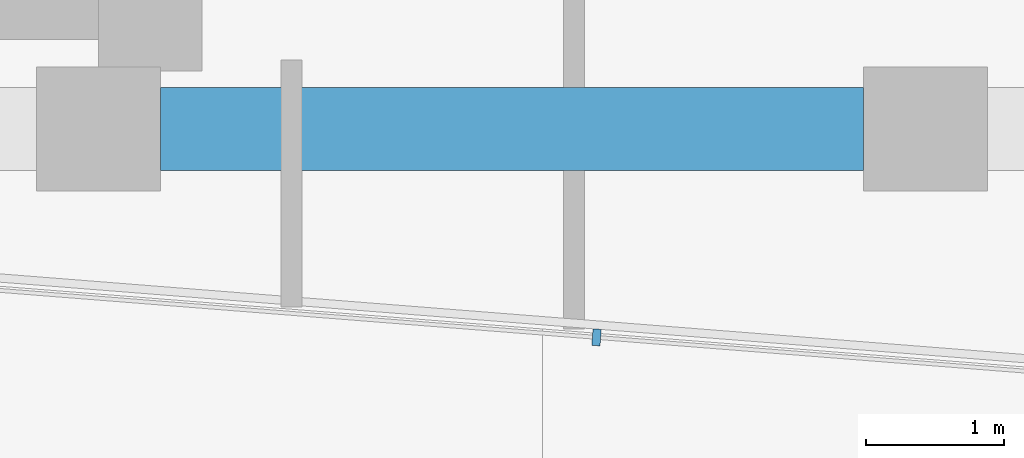
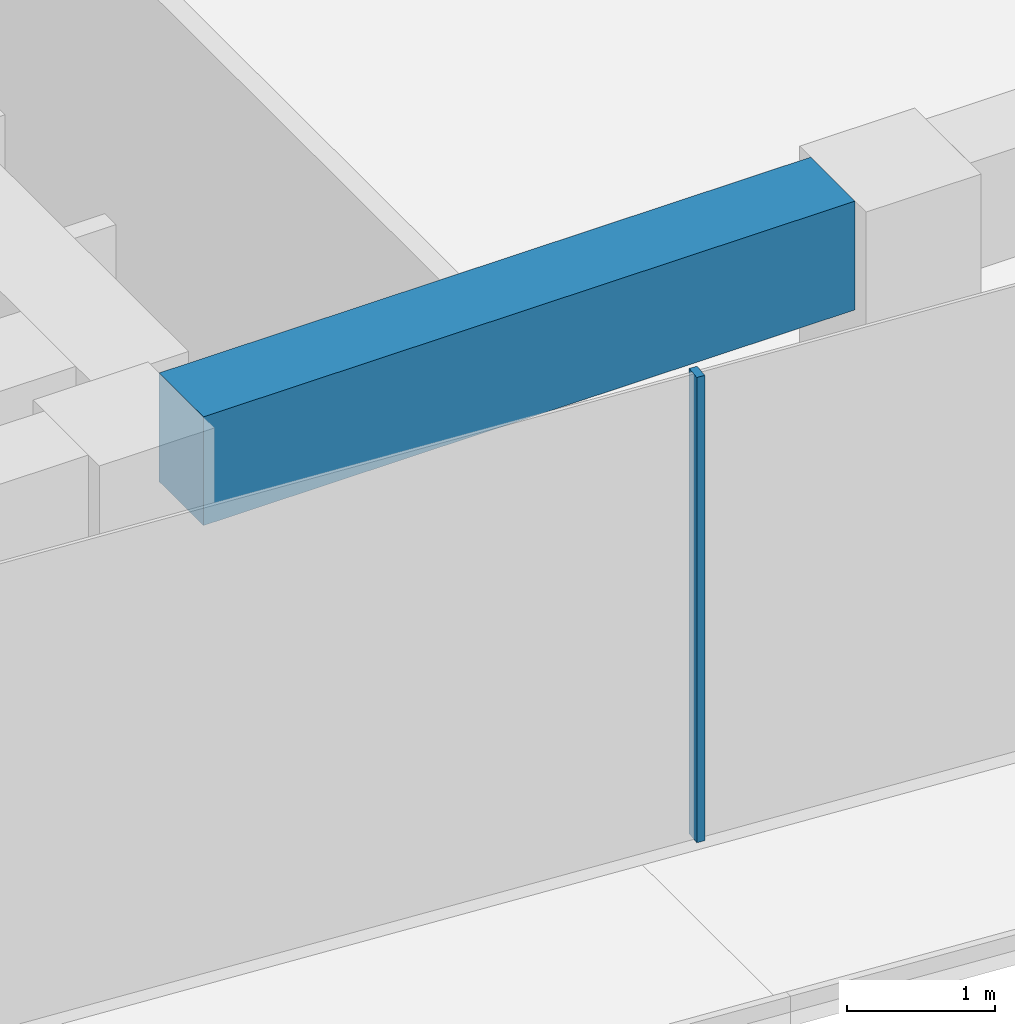
# One storey, part 3 of 24: 1 beam, 1 member, 1 element without a shape of its own.
"""IFC4 building model written with IfcOpenShell, lengths in metres."""

from ifc_helpers import new_model, si_unit, direction, frame, origin, origin_2d, place, context, subcontext, project, spatial, rectangle, extrude, material, layer, layer_set, material_profile, profile_set, type_object, element, aggregate, save


model = new_model("IFC4")

# Units and contexts
model_context = context("Model", 3, precision=1e-05, world=origin(), true_north=direction((0.0, 1.0)))
body_context = subcontext(model_context, "Body", "Model", "MODEL_VIEW")
ifc_project = project(units=[si_unit("LENGTHUNIT", "METRE"), si_unit("AREAUNIT", "SQUARE_METRE"), si_unit("VOLUMEUNIT", "CUBIC_METRE"), si_unit("PLANEANGLEUNIT", "RADIAN"), si_unit("MASSUNIT", "GRAM", prefix="KILO")], contexts=[model_context])

# Site, building, storey
site_placement = place(None, origin())
site = spatial("IfcSite", under=ifc_project, at=site_placement, CompositionType="ELEMENT")
building_placement = place(site_placement, origin())
building = spatial("IfcBuilding", under=site, at=building_placement, Name="Welwitschia Terrace Campus", CompositionType="ELEMENT")
storey_placement = place(building_placement, frame((0.0, 0.0, 129.800048828125)))
storey = spatial("IfcBuildingStorey", under=building, at=storey_placement, Name="L29", CompositionType="ELEMENT", Elevation=129.800048828125)

# Curtain wall, member
ifc_material_1 = material(Name="Bronze anodised aluminium", Category="aluminium")
ifc_layer = layer(ifc_material_1, 0.1201171875)
ifc_layer_set = layer_set([ifc_layer], Name="Bronze anodised aluminium")
curtain_wall_type = type_object("IfcCurtainWallType", Name="Curtain wall CW2 tower 6000", PredefinedType="NOTDEFINED", material=ifc_layer_set)
curtain_wall_placement = place(storey_placement, origin())
curtain_wall = element("IfcCurtainWall", 1, at=curtain_wall_placement, inside=storey, type_object=curtain_wall_type, Name="CW L29.3.0", PredefinedType="NOTDEFINED")
ifc_material_2 = material(Name="Bronze anodised aluminium", Category="aluminium")
ifc_material_profile_1 = material_profile(ifc_material_2, rectangle(XDim=0.1201171875, YDim=0.06005859375, at=origin_2d()))
ifc_profile_set_1 = profile_set([ifc_material_profile_1], Name="Bronze anodised aluminium")
member_type = type_object("IfcMemberType", Name="Mullion 60x120", PredefinedType="MULLION", material=ifc_profile_set_1)
member_placement = place(storey_placement, frame((27.61328125, 2.48828125, 0.0), z_axis=(0.0, 0.0, 1.0), x_axis=(0.078459095728, 0.996917333733, 0.0)))
member = element("IfcMember", 2, at=member_placement, type_object=member_type, Name="Mullion L29.3.0.1", PredefinedType="MULLION", context=body_context, shape_type="SweptSolid", body=[
    extrude(rectangle(XDim=0.1201171875, YDim=0.06005859375, at=origin_2d()), origin(), (0.0, 0.0, 1.0), 3.849853515625),
])
aggregate(curtain_wall, [member])

# Beam
ifc_material_3 = material(Name="Concrete C60/75", Category="concrete")
ifc_material_profile_2 = material_profile(ifc_material_3, rectangle(XDim=0.60009765625, YDim=0.89990234375, at=origin_2d()))
ifc_profile_set_2 = profile_set([ifc_material_profile_2], Name="Concrete C60/75")
beam_type = type_object("IfcBeamType", Name="Ring spandrel 600x900", PredefinedType="SPANDREL", material=ifc_profile_set_2)
beam_placement = place(storey_placement, frame((24.450439453125, 4.0, 3.39990234375), z_axis=(1.0, 0.0, 0.0), x_axis=(0.0, 1.0, 0.0)))
element("IfcBeam", 3, at=beam_placement, inside=storey, type_object=beam_type, Name="Spandrel SP2", PredefinedType="SPANDREL", context=body_context, shape_type="SweptSolid", body=[
    extrude(rectangle(XDim=0.60009765625, YDim=0.89990234375, at=origin_2d()), origin(), (0.0, 0.0, 1.0), 5.09912109375),
])

save(model, "model.ifc")
